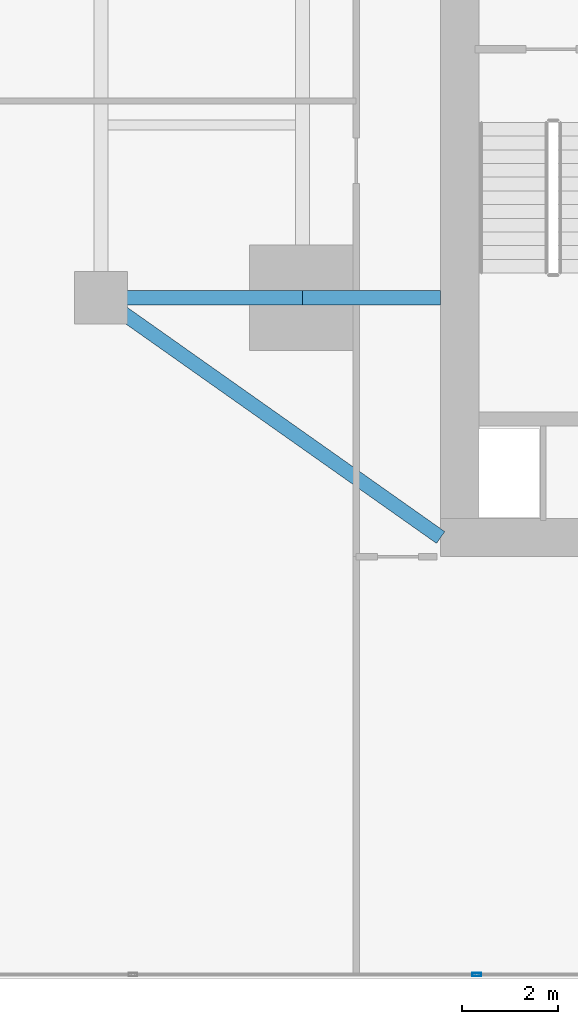
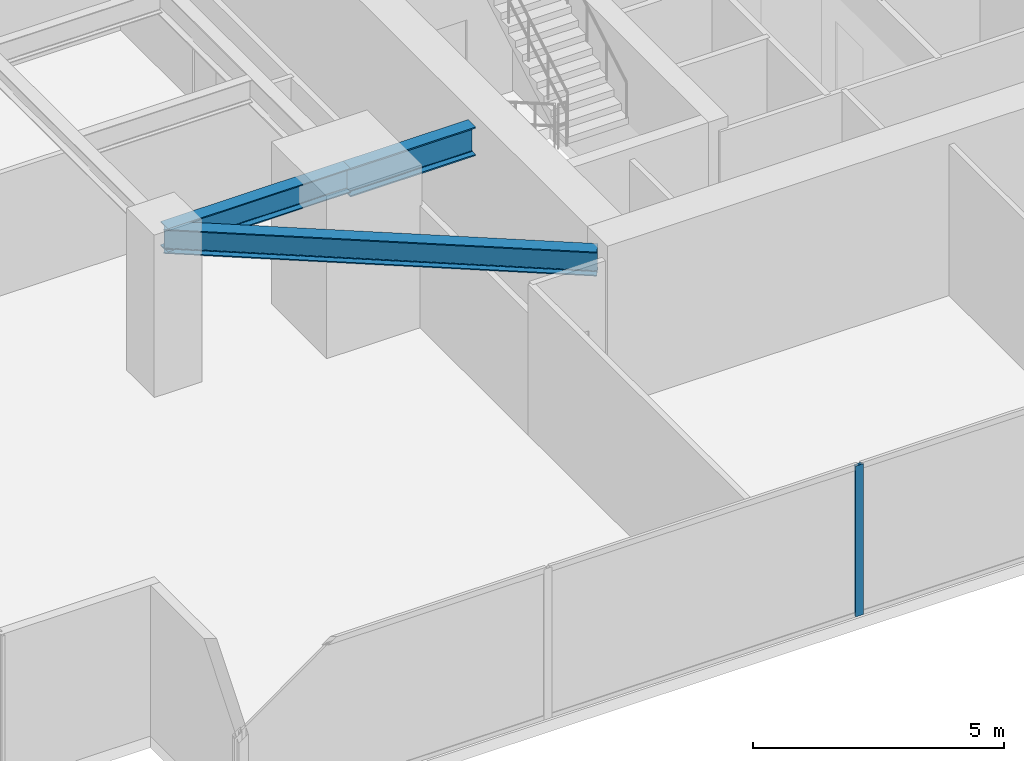
# One storey, part 5 of 28: 3 beams, 1 member, 1 element without a shape of its own.
"""IFC4 building model written with IfcOpenShell, lengths in metres."""

from ifc_helpers import new_model, si_unit, direction, frame, origin, origin_2d, place, context, subcontext, project, spatial, hollow_rectangle, i_section, extrude, source, transform, mapped, material, material_profile, profile_set, type_object, type_shapes, element, aggregate, save


model = new_model("IFC4")

# Units and contexts
model_context = context("Model", 3, precision=1e-05, world=origin(), true_north=direction((0.0, 1.0)))
body_context = subcontext(model_context, "Body", "Model", "MODEL_VIEW")
ifc_project = project(units=[si_unit("LENGTHUNIT", "METRE"), si_unit("AREAUNIT", "SQUARE_METRE"), si_unit("VOLUMEUNIT", "CUBIC_METRE"), si_unit("PLANEANGLEUNIT", "RADIAN"), si_unit("MASSUNIT", "GRAM", prefix="KILO")], contexts=[model_context])

# Site, building, storey
site_placement = place(None, origin())
site = spatial("IfcSite", under=ifc_project, at=site_placement, CompositionType="ELEMENT")
building_placement = place(site_placement, origin())
building = spatial("IfcBuilding", under=site, at=building_placement, Name="Krantzveldt Concourse Tower", CompositionType="ELEMENT")
storey_placement = place(building_placement, frame((0.0, 0.0, 32.89990234375)))
storey = spatial("IfcBuildingStorey", under=building, at=storey_placement, Name="L07", CompositionType="ELEMENT", Elevation=32.89990234375)

# Beams
ifc_material_1 = material(Name="Steel S355J2", Category="steel")
ifc_material_profile_1 = material_profile(ifc_material_1, i_section(OverallWidth=0.300048828125, OverallDepth=0.699951171875, WebThickness=0.01708984375, FlangeThickness=0.031982421875, FilletRadius=0.027099609375, at=origin_2d()), Name="Steel S355J2", Category="steel")
ifc_profile_set_1 = profile_set([ifc_material_profile_1], Name="Steel S355J2 - HEB 700")
beam_type_1 = type_object("IfcBeamType", Name="BM-B-HEB700", PredefinedType="BEAM", material=ifc_profile_set_1)
shared_shape_1 = source(origin(), body_context, "Body", "SweptSolid", [
    extrude(i_section(OverallWidth=0.300048828125, OverallDepth=0.699951171875, WebThickness=0.01708984375, FlangeThickness=0.031982421875, FilletRadius=0.027099609375, at=origin_2d()), origin(), (0.0, 0.0, 1.0), 2.880126953125),
])
type_shapes(beam_type_1, [shared_shape_1])
beam_1_placement = place(storey_placement, frame((25.199951171875, 15.89990234375, 3.320068359375), z_axis=(1.0, 0.0, 0.0), x_axis=(0.0, 1.0, 0.0)))
element("IfcBeam", 1, at=beam_1_placement, inside=storey, type_object=beam_type_1, Name="L07 Tower Girder BG-CW1", PredefinedType="BEAM", context=body_context, shape_type="MappedRepresentation", body=[
    mapped(shared_shape_1, transform((0.0, 0.0, 0.0), x_axis=(1.0, 0.0, 0.0), y_axis=(0.0, 1.0, 0.0), z_axis=(0.0, 0.0, 1.0), scale=1.0)),
])
ifc_material_2 = material(Name="Steel S355JR", Category="steel")
ifc_material_profile_2 = material_profile(ifc_material_2, i_section(OverallWidth=0.300048828125, OverallDepth=0.590087890625, WebThickness=0.012939453125, FlangeThickness=0.02490234375, FilletRadius=0.027099609375, at=origin_2d()), Name="Steel S355JR", Category="steel")
ifc_profile_set_2 = profile_set([ifc_material_profile_2], Name="Steel S355JR - HEA 600")
beam_type_2 = type_object("IfcBeamType", Name="BM-B-HEA600", PredefinedType="BEAM", material=ifc_profile_set_2)
shared_shape_2 = source(origin(), body_context, "Body", "SweptSolid", [
    extrude(i_section(OverallWidth=0.300048828125, OverallDepth=0.590087890625, WebThickness=0.012939453125, FlangeThickness=0.02490234375, FilletRadius=0.027099609375, at=origin_2d()), origin(), (0.0, 0.0, 1.0), 4.199951171875),
])
beam_2_placement = place(storey_placement, frame((21.0, 15.89990234375, 3.375), z_axis=(1.0, 0.0, 0.0), x_axis=(0.0, 1.0, 0.0)))
element("IfcBeam", 2, at=beam_2_placement, inside=storey, type_object=beam_type_2, Name="L07 Tower Girder BR-RL1", PredefinedType="BEAM", context=body_context, shape_type="MappedRepresentation", body=[
    mapped(shared_shape_2, transform((0.0, 0.0, 0.0), x_axis=(1.0, 0.0, 0.0), y_axis=(0.0, 1.0, 0.0), z_axis=(0.0, 0.0, 1.0), scale=1.0)),
])
shared_shape_3 = source(origin(), body_context, "Body", "SweptSolid", [
    extrude(i_section(OverallWidth=0.300048828125, OverallDepth=0.590087890625, WebThickness=0.012939453125, FlangeThickness=0.02490234375, FilletRadius=0.027099609375, at=origin_2d()), origin(), (0.0, 0.0, 1.0), 8.667724609375),
])
type_shapes(beam_type_2, [shared_shape_2, shared_shape_3])
beam_3_placement = place(storey_placement, frame((21.0, 15.89990234375, 3.375), z_axis=(0.81684294656, -0.576860122261, 0.0), x_axis=(0.576860122261, 0.81684294656, 0.0)))
element("IfcBeam", 3, at=beam_3_placement, inside=storey, type_object=beam_type_2, Name="L07 Tower Girder BR-CSW", PredefinedType="BEAM", context=body_context, shape_type="MappedRepresentation", body=[
    mapped(shared_shape_3, transform((0.0, 0.0, 0.0), x_axis=(1.0, 0.0, 0.0), y_axis=(0.0, 1.0, 0.0), z_axis=(0.0, 0.0, 1.0), scale=1.0)),
])

# Curtain wall, member
ifc_material_3 = material(Name="Anodised aluminium 6063-T6", Category="aluminium")
curtain_wall_type = type_object("IfcCurtainWallType", Name="CW2", PredefinedType="USERDEFINED", material=ifc_material_3)
curtain_wall_placement = place(storey_placement, origin())
curtain_wall = element("IfcCurtainWall", 4, at=curtain_wall_placement, inside=storey, type_object=curtain_wall_type, Name="CW-L07-F04", ObjectType="UNITISED CURTAIN WALL", PredefinedType="USERDEFINED")
ifc_material_profile_3 = material_profile(ifc_material_3, hollow_rectangle(XDim=0.070068359375, YDim=0.179931640625, WallThickness=0.0048828125, at=origin_2d()), Name="Anodised aluminium 6063-T6", Category="aluminium")
ifc_profile_set_3 = profile_set([ifc_material_profile_3], Name="Anodised aluminium 6063-T6 - ALU-MULL 180x70x5")
member_type = type_object("IfcMemberType", Name="CW-MUL-180", PredefinedType="MULLION", material=ifc_profile_set_3)
shared_shape_4 = source(origin(), body_context, "Body", "SweptSolid", [
    extrude(hollow_rectangle(XDim=0.070068359375, YDim=0.179931640625, WallThickness=0.0048828125, at=origin_2d()), origin(), (0.0, 0.0, 1.0), 3.670166015625),
])
type_shapes(member_type, [shared_shape_4])
member_placement = place(storey_placement, frame((28.833251953125, 1.7900390625, 0.0), z_axis=(0.0, 0.0, 1.0), x_axis=(0.0, 1.0, 0.0)))
member = element("IfcMember", 5, at=member_placement, type_object=member_type, Name="CW-Z12 mullion 3", PredefinedType="MULLION", context=body_context, shape_type="MappedRepresentation", body=[
    mapped(shared_shape_4, transform((0.0, 0.0, 0.0), x_axis=(1.0, 0.0, 0.0), y_axis=(0.0, 1.0, 0.0), z_axis=(0.0, 0.0, 1.0), scale=1.0)),
])
aggregate(curtain_wall, [member])

save(model, "model.ifc")
